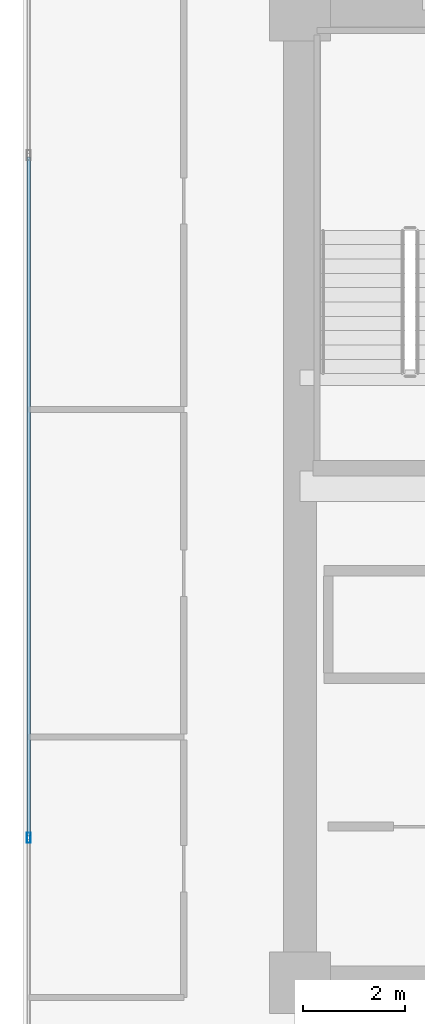
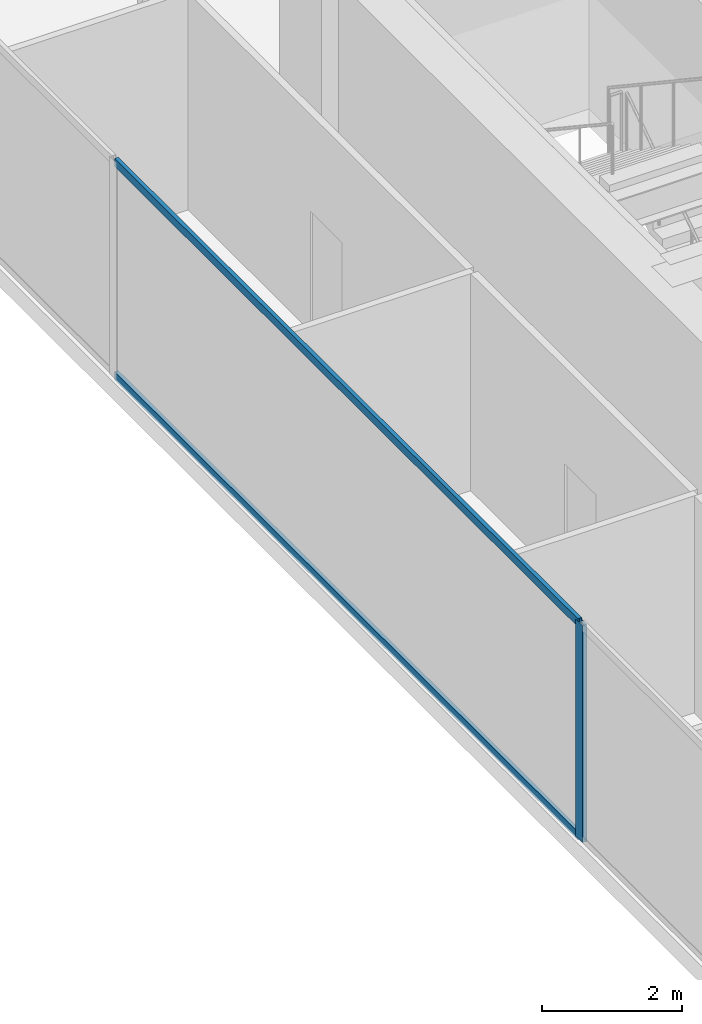
# One storey, part 6 of 31: 3 members, 1 element without a shape of its own.
"""IFC4 building model written with IfcOpenShell, lengths in metres."""

from ifc_helpers import new_model, si_unit, direction, frame, origin, origin_2d, place, context, subcontext, project, spatial, hollow_rectangle, extrude, source, transform, mapped, material, layer, layer_set, material_profile, profile_set, type_object, type_shapes, element, aggregate, save


model = new_model("IFC4")

# Units and contexts
model_context = context("Model", 3, precision=1e-05, world=origin(), true_north=direction((0.0, 1.0)))
body_context = subcontext(model_context, "Body", "Model", "MODEL_VIEW")
ifc_project = project(units=[si_unit("LENGTHUNIT", "METRE"), si_unit("AREAUNIT", "SQUARE_METRE"), si_unit("VOLUMEUNIT", "CUBIC_METRE"), si_unit("PLANEANGLEUNIT", "RADIAN"), si_unit("MASSUNIT", "GRAM", prefix="KILO")], contexts=[model_context])

# Site, building, storey
site_placement = place(None, origin())
site = spatial("IfcSite", under=ifc_project, at=site_placement, CompositionType="ELEMENT")
building_placement = place(site_placement, origin())
building = spatial("IfcBuilding", under=site, at=building_placement, Name="Haelvirn Gate Laboratories", CompositionType="ELEMENT")
storey_placement = place(building_placement, frame((0.0, 0.0, 174.800048828125)))
storey = spatial("IfcBuildingStorey", under=building, at=storey_placement, Name="L42", CompositionType="ELEMENT", Elevation=174.800048828125)

# Curtain wall, members
ifc_material_1 = material(Name="Anodised bronze unitised aluminium & triple low-E glass", Category="aluminium")
ifc_layer = layer(ifc_material_1, 0.179931640625, Name="CW-SYS-3")
ifc_layer_set = layer_set([ifc_layer], Name="Anodised bronze unitised aluminium & triple low-E glass")
curtain_wall_type = type_object("IfcCurtainWallType", Name="CW-SYS-3", PredefinedType="NOTDEFINED", material=ifc_layer_set)
curtain_wall_placement = place(storey_placement, origin())
curtain_wall = element("IfcCurtainWall", 1, at=curtain_wall_placement, inside=storey, type_object=curtain_wall_type, Name="L42 Unitised Curtain Wall CW-L42-P0-E17", PredefinedType="NOTDEFINED")
ifc_material_2 = material(Name="Extruded aluminium 6063-T6 (anodised bronze)", Category="aluminium")
ifc_material_profile_1 = material_profile(ifc_material_2, hollow_rectangle(XDim=0.06494140625, YDim=0.139892578125, WallThickness=0.00390625, at=origin_2d()), Name="CWT-140x65x4")
ifc_profile_set_1 = profile_set([ifc_material_profile_1], Name="Extruded aluminium 6063-T6 (anodised bronze)")
member_type_1 = type_object("IfcMemberType", Name="CWT-T140", PredefinedType="USERDEFINED", material=ifc_profile_set_1)
shared_shape_1 = source(origin(), body_context, "Body", "SweptSolid", [
    extrude(hollow_rectangle(XDim=0.06494140625, YDim=0.139892578125, WallThickness=0.00390625, at=origin_2d()), origin(), (0.0, 0.0, 1.0), 13.25830078125),
])
type_shapes(member_type_1, [shared_shape_1])
member_1_placement = place(storey_placement, frame((2.10009765625, 30.92919921875, 0.032470703125), z_axis=(0.0, -1.0, 0.0), x_axis=(1.0, 0.0, 0.0)))
member_1 = element("IfcMember", 2, at=member_1_placement, type_object=member_type_1, Name="CW3 transom 2.1", ObjectType="TRANSOM", PredefinedType="USERDEFINED", context=body_context, shape_type="MappedRepresentation", body=[
    mapped(shared_shape_1, transform((0.0, 0.0, 0.0), scale=1.0)),
])
member_2_placement = place(storey_placement, frame((2.10009765625, 30.92919921875, 3.757568359375), z_axis=(0.0, -1.0, 0.0), x_axis=(1.0, 0.0, 0.0)))
member_2 = element("IfcMember", 3, at=member_2_placement, type_object=member_type_1, Name="CW3 transom 2.2", ObjectType="TRANSOM", PredefinedType="USERDEFINED", context=body_context, shape_type="MappedRepresentation", body=[
    mapped(shared_shape_1, transform((0.0, 0.0, 0.0), scale=1.0)),
])
ifc_material_profile_2 = material_profile(ifc_material_2, hollow_rectangle(XDim=0.074951171875, YDim=0.199951171875, WallThickness=0.0048828125, at=origin_2d()), Name="CWM-200x75x5")
ifc_profile_set_2 = profile_set([ifc_material_profile_2], Name="Extruded aluminium 6063-T6 (anodised bronze)")
member_type_2 = type_object("IfcMemberType", Name="CWM-T200", PredefinedType="MULLION", material=ifc_profile_set_2)
shared_shape_2 = source(origin(), body_context, "Body", "SweptSolid", [
    extrude(hollow_rectangle(XDim=0.074951171875, YDim=0.199951171875, WallThickness=0.0048828125, at=origin_2d()), origin(), (0.0, 0.0, 1.0), 3.7900390625),
])
type_shapes(member_type_2, [shared_shape_2])
member_3_placement = place(storey_placement, frame((2.10009765625, 17.63330078125, 0.0), z_axis=(0.0, 0.0, 1.0), x_axis=(1.0, 0.0, 0.0)))
member_3 = element("IfcMember", 4, at=member_3_placement, type_object=member_type_2, Name="CW3 mullion 3", PredefinedType="MULLION", context=body_context, shape_type="MappedRepresentation", body=[
    mapped(shared_shape_2, transform((0.0, 0.0, 0.0), scale=1.0)),
])
aggregate(curtain_wall, [member_3, member_1, member_2])

save(model, "model.ifc")
